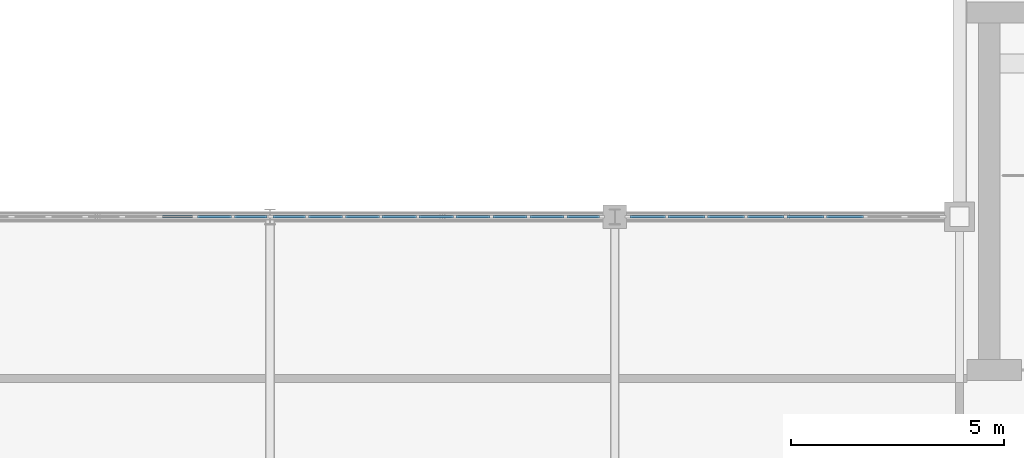
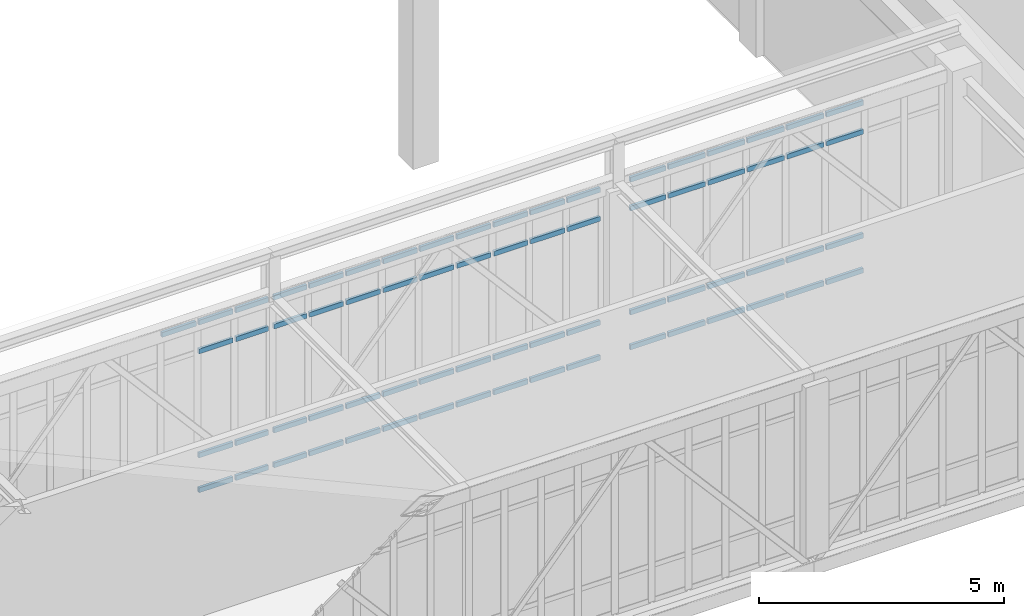
# One storey, part 30 of 67: 69 members, 3 elements without a shape of their own.
"""IFC4 building model written with IfcOpenShell, lengths in metres."""

from ifc_helpers import new_model, si_unit, direction, frame, origin, origin_2d, place, context, subcontext, project, spatial, rectangle, extrude, material, material_profile, profile_set, type_object, element, aggregate, save


model = new_model("IFC4")

# Units and contexts
model_context = context("Model", 3, precision=1e-05, world=origin(), true_north=direction((0.0, 1.0)))
body_context = subcontext(model_context, "Body", "Model", "MODEL_VIEW")
ifc_project = project(units=[si_unit("LENGTHUNIT", "METRE"), si_unit("AREAUNIT", "SQUARE_METRE"), si_unit("VOLUMEUNIT", "CUBIC_METRE"), si_unit("PLANEANGLEUNIT", "RADIAN"), si_unit("MASSUNIT", "GRAM", prefix="KILO")], contexts=[model_context])

# Site, building, storey
site_placement = place(None, origin())
site = spatial("IfcSite", under=ifc_project, at=site_placement, CompositionType="ELEMENT")
building_placement = place(site_placement, origin())
building = spatial("IfcBuilding", under=site, at=building_placement, Name="Tarnveldt Square Police Headquarters", CompositionType="ELEMENT")
storey_placement = place(building_placement, frame((0.0, 0.0, 10.199951171875)))
storey = spatial("IfcBuildingStorey", under=building, at=storey_placement, Name="L02", CompositionType="ELEMENT", Elevation=10.199951171875)

# Curtain wall, members
ifc_material_1 = material(Name="Triple-glazed low-e laminated vision glass", Category="glass")
curtain_wall_type_1 = type_object("IfcCurtainWallType", Name="CW-SB-781x424", PredefinedType="USERDEFINED", material=ifc_material_1)
curtain_wall_1_placement = place(storey_placement, origin())
curtain_wall_1 = element("IfcCurtainWall", 1, at=curtain_wall_1_placement, inside=storey, type_object=curtain_wall_type_1, Name="L02 Curtain Wall CW-L02-149", ObjectType="GLAZED CURTAIN WALL", PredefinedType="USERDEFINED")
ifc_material_2 = material(Name="Thermally broken anodised aluminium 6063-T6", Category="aluminium")
ifc_material_profile = material_profile(ifc_material_2, rectangle(XDim=0.06494140625, YDim=0.1201171875, at=origin_2d()), Name="CW-T65x120")
ifc_profile_set = profile_set([ifc_material_profile], Name="Thermally broken anodised aluminium 6063-T6")
member_type = type_object("IfcMemberType", Name="CWT-65x120", PredefinedType="USERDEFINED", material=ifc_profile_set)
member_1_placement = place(storey_placement, frame((86.529052734375, 64.0, 4.20751953125), z_axis=(1.0, 0.0, 0.0), x_axis=(0.0, 1.0, 0.0)))
member_1 = element("IfcMember", 2, at=member_1_placement, type_object=member_type, Name="CW-SB87 transom 7.4", ObjectType="TRANSOM", PredefinedType="USERDEFINED", context=body_context, shape_type="SweptSolid", body=[
    extrude(rectangle(XDim=0.06494140625, YDim=0.1201171875, at=origin_2d()), origin(), (0.0, 0.0, 1.0), 0.802978515625),
])
member_2_placement = place(storey_placement, frame((87.39697265625, 64.0, 0.032470703125), z_axis=(1.0, 0.0, 0.0), x_axis=(0.0, 1.0, 0.0)))
member_2 = element("IfcMember", 3, at=member_2_placement, type_object=member_type, Name="CW-SB87 transom 8.1", ObjectType="TRANSOM", PredefinedType="USERDEFINED", context=body_context, shape_type="SweptSolid", body=[
    extrude(rectangle(XDim=0.06494140625, YDim=0.1201171875, at=origin_2d()), origin(), (0.0, 0.0, 1.0), 0.802734375),
])
member_3_placement = place(storey_placement, frame((87.39697265625, 64.0, 0.900146484375), z_axis=(1.0, 0.0, 0.0), x_axis=(0.0, 1.0, 0.0)))
member_3 = element("IfcMember", 4, at=member_3_placement, type_object=member_type, Name="CW-SB87 transom 8.2", ObjectType="TRANSOM", PredefinedType="USERDEFINED", context=body_context, shape_type="SweptSolid", body=[
    extrude(rectangle(XDim=0.06494140625, YDim=0.1201171875, at=origin_2d()), origin(), (0.0, 0.0, 1.0), 0.802734375),
])
member_4_placement = place(storey_placement, frame((87.39697265625, 64.0, 3.489990234375), z_axis=(1.0, 0.0, 0.0), x_axis=(0.0, 1.0, 0.0)))
member_4 = element("IfcMember", 5, at=member_4_placement, type_object=member_type, Name="CW-SB87 transom 8.3", ObjectType="TRANSOM", PredefinedType="USERDEFINED", context=body_context, shape_type="SweptSolid", body=[
    extrude(rectangle(XDim=0.06494140625, YDim=0.1201171875, at=origin_2d()), origin(), (0.0, 0.0, 1.0), 0.802734375),
])
member_5_placement = place(storey_placement, frame((87.39697265625, 64.0, 4.20751953125), z_axis=(1.0, 0.0, 0.0), x_axis=(0.0, 1.0, 0.0)))
member_5 = element("IfcMember", 6, at=member_5_placement, type_object=member_type, Name="CW-SB87 transom 8.4", ObjectType="TRANSOM", PredefinedType="USERDEFINED", context=body_context, shape_type="SweptSolid", body=[
    extrude(rectangle(XDim=0.06494140625, YDim=0.1201171875, at=origin_2d()), origin(), (0.0, 0.0, 1.0), 0.802734375),
])
member_6_placement = place(storey_placement, frame((88.2646484375, 64.0, 0.032470703125), z_axis=(1.0, 0.0, 0.0), x_axis=(0.0, 1.0, 0.0)))
member_6 = element("IfcMember", 7, at=member_6_placement, type_object=member_type, Name="CW-SB87 transom 9.1", ObjectType="TRANSOM", PredefinedType="USERDEFINED", context=body_context, shape_type="SweptSolid", body=[
    extrude(rectangle(XDim=0.06494140625, YDim=0.1201171875, at=origin_2d()), origin(), (0.0, 0.0, 1.0), 0.770263671875),
])
member_7_placement = place(storey_placement, frame((88.2646484375, 64.0, 0.900146484375), z_axis=(1.0, 0.0, 0.0), x_axis=(0.0, 1.0, 0.0)))
member_7 = element("IfcMember", 8, at=member_7_placement, type_object=member_type, Name="CW-SB87 transom 9.2", ObjectType="TRANSOM", PredefinedType="USERDEFINED", context=body_context, shape_type="SweptSolid", body=[
    extrude(rectangle(XDim=0.06494140625, YDim=0.1201171875, at=origin_2d()), origin(), (0.0, 0.0, 1.0), 0.770263671875),
])
member_8_placement = place(storey_placement, frame((88.2646484375, 64.0, 3.489990234375), z_axis=(1.0, 0.0, 0.0), x_axis=(0.0, 1.0, 0.0)))
member_8 = element("IfcMember", 9, at=member_8_placement, type_object=member_type, Name="CW-SB87 transom 9.3", ObjectType="TRANSOM", PredefinedType="USERDEFINED", context=body_context, shape_type="SweptSolid", body=[
    extrude(rectangle(XDim=0.06494140625, YDim=0.1201171875, at=origin_2d()), origin(), (0.0, 0.0, 1.0), 0.770263671875),
])
member_9_placement = place(storey_placement, frame((88.2646484375, 64.0, 4.20751953125), z_axis=(1.0, 0.0, 0.0), x_axis=(0.0, 1.0, 0.0)))
member_9 = element("IfcMember", 10, at=member_9_placement, type_object=member_type, Name="CW-SB87 transom 9.4", ObjectType="TRANSOM", PredefinedType="USERDEFINED", context=body_context, shape_type="SweptSolid", body=[
    extrude(rectangle(XDim=0.06494140625, YDim=0.1201171875, at=origin_2d()), origin(), (0.0, 0.0, 1.0), 0.770263671875),
])
aggregate(curtain_wall_1, [member_1, member_2, member_3, member_4, member_5, member_6, member_7, member_8, member_9])

curtain_wall_2_placement = place(storey_placement, origin())
curtain_wall_2 = element("IfcCurtainWall", 11, at=curtain_wall_2_placement, inside=storey, type_object=curtain_wall_type_1, Name="L02 Curtain Wall CW-L02-150", ObjectType="GLAZED CURTAIN WALL", PredefinedType="USERDEFINED")
member_10_placement = place(storey_placement, frame((89.1650390625, 64.0, 0.032470703125), z_axis=(1.0, 0.0, 0.0), x_axis=(0.0, 1.0, 0.0)))
member_10 = element("IfcMember", 12, at=member_10_placement, type_object=member_type, Name="CW-SB87 transom 1.1", ObjectType="TRANSOM", PredefinedType="USERDEFINED", context=body_context, shape_type="SweptSolid", body=[
    extrude(rectangle(XDim=0.06494140625, YDim=0.1201171875, at=origin_2d()), origin(), (0.0, 0.0, 1.0), 0.770263671875),
])
member_11_placement = place(storey_placement, frame((89.1650390625, 64.0, 0.900146484375), z_axis=(1.0, 0.0, 0.0), x_axis=(0.0, 1.0, 0.0)))
member_11 = element("IfcMember", 13, at=member_11_placement, type_object=member_type, Name="CW-SB87 transom 1.2", ObjectType="TRANSOM", PredefinedType="USERDEFINED", context=body_context, shape_type="SweptSolid", body=[
    extrude(rectangle(XDim=0.06494140625, YDim=0.1201171875, at=origin_2d()), origin(), (0.0, 0.0, 1.0), 0.770263671875),
])
member_12_placement = place(storey_placement, frame((89.1650390625, 64.0, 3.489990234375), z_axis=(1.0, 0.0, 0.0), x_axis=(0.0, 1.0, 0.0)))
member_12 = element("IfcMember", 14, at=member_12_placement, type_object=member_type, Name="CW-SB87 transom 1.3", ObjectType="TRANSOM", PredefinedType="USERDEFINED", context=body_context, shape_type="SweptSolid", body=[
    extrude(rectangle(XDim=0.06494140625, YDim=0.1201171875, at=origin_2d()), origin(), (0.0, 0.0, 1.0), 0.770263671875),
])
member_13_placement = place(storey_placement, frame((89.1650390625, 64.0, 4.20751953125), z_axis=(1.0, 0.0, 0.0), x_axis=(0.0, 1.0, 0.0)))
member_13 = element("IfcMember", 15, at=member_13_placement, type_object=member_type, Name="CW-SB87 transom 1.4", ObjectType="TRANSOM", PredefinedType="USERDEFINED", context=body_context, shape_type="SweptSolid", body=[
    extrude(rectangle(XDim=0.06494140625, YDim=0.1201171875, at=origin_2d()), origin(), (0.0, 0.0, 1.0), 0.770263671875),
])
member_14_placement = place(storey_placement, frame((90.000244140625, 64.0, 0.032470703125), z_axis=(1.0, 0.0, 0.0), x_axis=(0.0, 1.0, 0.0)))
member_14 = element("IfcMember", 16, at=member_14_placement, type_object=member_type, Name="CW-SB87 transom 2.1", ObjectType="TRANSOM", PredefinedType="USERDEFINED", context=body_context, shape_type="SweptSolid", body=[
    extrude(rectangle(XDim=0.06494140625, YDim=0.1201171875, at=origin_2d()), origin(), (0.0, 0.0, 1.0), 0.802734375),
])
member_15_placement = place(storey_placement, frame((90.000244140625, 64.0, 0.900146484375), z_axis=(1.0, 0.0, 0.0), x_axis=(0.0, 1.0, 0.0)))
member_15 = element("IfcMember", 17, at=member_15_placement, type_object=member_type, Name="CW-SB87 transom 2.2", ObjectType="TRANSOM", PredefinedType="USERDEFINED", context=body_context, shape_type="SweptSolid", body=[
    extrude(rectangle(XDim=0.06494140625, YDim=0.1201171875, at=origin_2d()), origin(), (0.0, 0.0, 1.0), 0.802734375),
])
member_16_placement = place(storey_placement, frame((90.000244140625, 64.0, 3.489990234375), z_axis=(1.0, 0.0, 0.0), x_axis=(0.0, 1.0, 0.0)))
member_16 = element("IfcMember", 18, at=member_16_placement, type_object=member_type, Name="CW-SB87 transom 2.3", ObjectType="TRANSOM", PredefinedType="USERDEFINED", context=body_context, shape_type="SweptSolid", body=[
    extrude(rectangle(XDim=0.06494140625, YDim=0.1201171875, at=origin_2d()), origin(), (0.0, 0.0, 1.0), 0.802734375),
])
member_17_placement = place(storey_placement, frame((90.000244140625, 64.0, 4.20751953125), z_axis=(1.0, 0.0, 0.0), x_axis=(0.0, 1.0, 0.0)))
member_17 = element("IfcMember", 19, at=member_17_placement, type_object=member_type, Name="CW-SB87 transom 2.4", ObjectType="TRANSOM", PredefinedType="USERDEFINED", context=body_context, shape_type="SweptSolid", body=[
    extrude(rectangle(XDim=0.06494140625, YDim=0.1201171875, at=origin_2d()), origin(), (0.0, 0.0, 1.0), 0.802734375),
])
member_18_placement = place(storey_placement, frame((90.8681640625, 64.0, 0.032470703125), z_axis=(1.0, 0.0, 0.0), x_axis=(0.0, 1.0, 0.0)))
member_18 = element("IfcMember", 20, at=member_18_placement, type_object=member_type, Name="CW-SB87 transom 3.1", ObjectType="TRANSOM", PredefinedType="USERDEFINED", context=body_context, shape_type="SweptSolid", body=[
    extrude(rectangle(XDim=0.06494140625, YDim=0.1201171875, at=origin_2d()), origin(), (0.0, 0.0, 1.0), 0.802734375),
])
member_19_placement = place(storey_placement, frame((90.8681640625, 64.0, 0.900146484375), z_axis=(1.0, 0.0, 0.0), x_axis=(0.0, 1.0, 0.0)))
member_19 = element("IfcMember", 21, at=member_19_placement, type_object=member_type, Name="CW-SB87 transom 3.2", ObjectType="TRANSOM", PredefinedType="USERDEFINED", context=body_context, shape_type="SweptSolid", body=[
    extrude(rectangle(XDim=0.06494140625, YDim=0.1201171875, at=origin_2d()), origin(), (0.0, 0.0, 1.0), 0.802734375),
])
member_20_placement = place(storey_placement, frame((90.8681640625, 64.0, 3.489990234375), z_axis=(1.0, 0.0, 0.0), x_axis=(0.0, 1.0, 0.0)))
member_20 = element("IfcMember", 22, at=member_20_placement, type_object=member_type, Name="CW-SB87 transom 3.3", ObjectType="TRANSOM", PredefinedType="USERDEFINED", context=body_context, shape_type="SweptSolid", body=[
    extrude(rectangle(XDim=0.06494140625, YDim=0.1201171875, at=origin_2d()), origin(), (0.0, 0.0, 1.0), 0.802734375),
])
member_21_placement = place(storey_placement, frame((90.8681640625, 64.0, 4.20751953125), z_axis=(1.0, 0.0, 0.0), x_axis=(0.0, 1.0, 0.0)))
member_21 = element("IfcMember", 23, at=member_21_placement, type_object=member_type, Name="CW-SB87 transom 3.4", ObjectType="TRANSOM", PredefinedType="USERDEFINED", context=body_context, shape_type="SweptSolid", body=[
    extrude(rectangle(XDim=0.06494140625, YDim=0.1201171875, at=origin_2d()), origin(), (0.0, 0.0, 1.0), 0.802734375),
])
member_22_placement = place(storey_placement, frame((91.73583984375, 64.0, 0.032470703125), z_axis=(1.0, 0.0, 0.0), x_axis=(0.0, 1.0, 0.0)))
member_22 = element("IfcMember", 24, at=member_22_placement, type_object=member_type, Name="CW-SB87 transom 4.1", ObjectType="TRANSOM", PredefinedType="USERDEFINED", context=body_context, shape_type="SweptSolid", body=[
    extrude(rectangle(XDim=0.06494140625, YDim=0.1201171875, at=origin_2d()), origin(), (0.0, 0.0, 1.0), 0.802734375),
])
member_23_placement = place(storey_placement, frame((91.73583984375, 64.0, 0.900146484375), z_axis=(1.0, 0.0, 0.0), x_axis=(0.0, 1.0, 0.0)))
member_23 = element("IfcMember", 25, at=member_23_placement, type_object=member_type, Name="CW-SB87 transom 4.2", ObjectType="TRANSOM", PredefinedType="USERDEFINED", context=body_context, shape_type="SweptSolid", body=[
    extrude(rectangle(XDim=0.06494140625, YDim=0.1201171875, at=origin_2d()), origin(), (0.0, 0.0, 1.0), 0.802734375),
])
member_24_placement = place(storey_placement, frame((91.73583984375, 64.0, 3.489990234375), z_axis=(1.0, 0.0, 0.0), x_axis=(0.0, 1.0, 0.0)))
member_24 = element("IfcMember", 26, at=member_24_placement, type_object=member_type, Name="CW-SB87 transom 4.3", ObjectType="TRANSOM", PredefinedType="USERDEFINED", context=body_context, shape_type="SweptSolid", body=[
    extrude(rectangle(XDim=0.06494140625, YDim=0.1201171875, at=origin_2d()), origin(), (0.0, 0.0, 1.0), 0.802734375),
])
member_25_placement = place(storey_placement, frame((91.73583984375, 64.0, 4.20751953125), z_axis=(1.0, 0.0, 0.0), x_axis=(0.0, 1.0, 0.0)))
member_25 = element("IfcMember", 27, at=member_25_placement, type_object=member_type, Name="CW-SB87 transom 4.4", ObjectType="TRANSOM", PredefinedType="USERDEFINED", context=body_context, shape_type="SweptSolid", body=[
    extrude(rectangle(XDim=0.06494140625, YDim=0.1201171875, at=origin_2d()), origin(), (0.0, 0.0, 1.0), 0.802734375),
])
member_26_placement = place(storey_placement, frame((92.603515625, 64.0, 0.032470703125), z_axis=(1.0, 0.0, 0.0), x_axis=(0.0, 1.0, 0.0)))
member_26 = element("IfcMember", 28, at=member_26_placement, type_object=member_type, Name="CW-SB87 transom 5.1", ObjectType="TRANSOM", PredefinedType="USERDEFINED", context=body_context, shape_type="SweptSolid", body=[
    extrude(rectangle(XDim=0.06494140625, YDim=0.1201171875, at=origin_2d()), origin(), (0.0, 0.0, 1.0), 0.802978515625),
])
member_27_placement = place(storey_placement, frame((92.603515625, 64.0, 0.900146484375), z_axis=(1.0, 0.0, 0.0), x_axis=(0.0, 1.0, 0.0)))
member_27 = element("IfcMember", 29, at=member_27_placement, type_object=member_type, Name="CW-SB87 transom 5.2", ObjectType="TRANSOM", PredefinedType="USERDEFINED", context=body_context, shape_type="SweptSolid", body=[
    extrude(rectangle(XDim=0.06494140625, YDim=0.1201171875, at=origin_2d()), origin(), (0.0, 0.0, 1.0), 0.802978515625),
])
member_28_placement = place(storey_placement, frame((92.603515625, 64.0, 3.489990234375), z_axis=(1.0, 0.0, 0.0), x_axis=(0.0, 1.0, 0.0)))
member_28 = element("IfcMember", 30, at=member_28_placement, type_object=member_type, Name="CW-SB87 transom 5.3", ObjectType="TRANSOM", PredefinedType="USERDEFINED", context=body_context, shape_type="SweptSolid", body=[
    extrude(rectangle(XDim=0.06494140625, YDim=0.1201171875, at=origin_2d()), origin(), (0.0, 0.0, 1.0), 0.802978515625),
])
member_29_placement = place(storey_placement, frame((92.603515625, 64.0, 4.20751953125), z_axis=(1.0, 0.0, 0.0), x_axis=(0.0, 1.0, 0.0)))
member_29 = element("IfcMember", 31, at=member_29_placement, type_object=member_type, Name="CW-SB87 transom 5.4", ObjectType="TRANSOM", PredefinedType="USERDEFINED", context=body_context, shape_type="SweptSolid", body=[
    extrude(rectangle(XDim=0.06494140625, YDim=0.1201171875, at=origin_2d()), origin(), (0.0, 0.0, 1.0), 0.802978515625),
])
member_30_placement = place(storey_placement, frame((93.471435546875, 64.0, 0.032470703125), z_axis=(1.0, 0.0, 0.0), x_axis=(0.0, 1.0, 0.0)))
member_30 = element("IfcMember", 32, at=member_30_placement, type_object=member_type, Name="CW-SB87 transom 6.1", ObjectType="TRANSOM", PredefinedType="USERDEFINED", context=body_context, shape_type="SweptSolid", body=[
    extrude(rectangle(XDim=0.06494140625, YDim=0.1201171875, at=origin_2d()), origin(), (0.0, 0.0, 1.0), 0.802734375),
])
member_31_placement = place(storey_placement, frame((93.471435546875, 64.0, 0.900146484375), z_axis=(1.0, 0.0, 0.0), x_axis=(0.0, 1.0, 0.0)))
member_31 = element("IfcMember", 33, at=member_31_placement, type_object=member_type, Name="CW-SB87 transom 6.2", ObjectType="TRANSOM", PredefinedType="USERDEFINED", context=body_context, shape_type="SweptSolid", body=[
    extrude(rectangle(XDim=0.06494140625, YDim=0.1201171875, at=origin_2d()), origin(), (0.0, 0.0, 1.0), 0.802734375),
])
member_32_placement = place(storey_placement, frame((93.471435546875, 64.0, 3.489990234375), z_axis=(1.0, 0.0, 0.0), x_axis=(0.0, 1.0, 0.0)))
member_32 = element("IfcMember", 34, at=member_32_placement, type_object=member_type, Name="CW-SB87 transom 6.3", ObjectType="TRANSOM", PredefinedType="USERDEFINED", context=body_context, shape_type="SweptSolid", body=[
    extrude(rectangle(XDim=0.06494140625, YDim=0.1201171875, at=origin_2d()), origin(), (0.0, 0.0, 1.0), 0.802734375),
])
member_33_placement = place(storey_placement, frame((93.471435546875, 64.0, 4.20751953125), z_axis=(1.0, 0.0, 0.0), x_axis=(0.0, 1.0, 0.0)))
member_33 = element("IfcMember", 35, at=member_33_placement, type_object=member_type, Name="CW-SB87 transom 6.4", ObjectType="TRANSOM", PredefinedType="USERDEFINED", context=body_context, shape_type="SweptSolid", body=[
    extrude(rectangle(XDim=0.06494140625, YDim=0.1201171875, at=origin_2d()), origin(), (0.0, 0.0, 1.0), 0.802734375),
])
member_34_placement = place(storey_placement, frame((94.339111328125, 64.0, 0.032470703125), z_axis=(1.0, 0.0, 0.0), x_axis=(0.0, 1.0, 0.0)))
member_34 = element("IfcMember", 36, at=member_34_placement, type_object=member_type, Name="CW-SB87 transom 7.1", ObjectType="TRANSOM", PredefinedType="USERDEFINED", context=body_context, shape_type="SweptSolid", body=[
    extrude(rectangle(XDim=0.06494140625, YDim=0.1201171875, at=origin_2d()), origin(), (0.0, 0.0, 1.0), 0.802734375),
])
member_35_placement = place(storey_placement, frame((94.339111328125, 64.0, 0.900146484375), z_axis=(1.0, 0.0, 0.0), x_axis=(0.0, 1.0, 0.0)))
member_35 = element("IfcMember", 37, at=member_35_placement, type_object=member_type, Name="CW-SB87 transom 7.2", ObjectType="TRANSOM", PredefinedType="USERDEFINED", context=body_context, shape_type="SweptSolid", body=[
    extrude(rectangle(XDim=0.06494140625, YDim=0.1201171875, at=origin_2d()), origin(), (0.0, 0.0, 1.0), 0.802734375),
])
member_36_placement = place(storey_placement, frame((94.339111328125, 64.0, 3.489990234375), z_axis=(1.0, 0.0, 0.0), x_axis=(0.0, 1.0, 0.0)))
member_36 = element("IfcMember", 38, at=member_36_placement, type_object=member_type, Name="CW-SB87 transom 7.3", ObjectType="TRANSOM", PredefinedType="USERDEFINED", context=body_context, shape_type="SweptSolid", body=[
    extrude(rectangle(XDim=0.06494140625, YDim=0.1201171875, at=origin_2d()), origin(), (0.0, 0.0, 1.0), 0.802734375),
])
member_37_placement = place(storey_placement, frame((94.339111328125, 64.0, 4.20751953125), z_axis=(1.0, 0.0, 0.0), x_axis=(0.0, 1.0, 0.0)))
member_37 = element("IfcMember", 39, at=member_37_placement, type_object=member_type, Name="CW-SB87 transom 7.4", ObjectType="TRANSOM", PredefinedType="USERDEFINED", context=body_context, shape_type="SweptSolid", body=[
    extrude(rectangle(XDim=0.06494140625, YDim=0.1201171875, at=origin_2d()), origin(), (0.0, 0.0, 1.0), 0.802734375),
])
member_38_placement = place(storey_placement, frame((95.20703125, 64.0, 0.032470703125), z_axis=(1.0, 0.0, 0.0), x_axis=(0.0, 1.0, 0.0)))
member_38 = element("IfcMember", 40, at=member_38_placement, type_object=member_type, Name="CW-SB87 transom 8.1", ObjectType="TRANSOM", PredefinedType="USERDEFINED", context=body_context, shape_type="SweptSolid", body=[
    extrude(rectangle(XDim=0.06494140625, YDim=0.1201171875, at=origin_2d()), origin(), (0.0, 0.0, 1.0), 0.802734375),
])
member_39_placement = place(storey_placement, frame((95.20703125, 64.0, 0.900146484375), z_axis=(1.0, 0.0, 0.0), x_axis=(0.0, 1.0, 0.0)))
member_39 = element("IfcMember", 41, at=member_39_placement, type_object=member_type, Name="CW-SB87 transom 8.2", ObjectType="TRANSOM", PredefinedType="USERDEFINED", context=body_context, shape_type="SweptSolid", body=[
    extrude(rectangle(XDim=0.06494140625, YDim=0.1201171875, at=origin_2d()), origin(), (0.0, 0.0, 1.0), 0.802734375),
])
member_40_placement = place(storey_placement, frame((95.20703125, 64.0, 3.489990234375), z_axis=(1.0, 0.0, 0.0), x_axis=(0.0, 1.0, 0.0)))
member_40 = element("IfcMember", 42, at=member_40_placement, type_object=member_type, Name="CW-SB87 transom 8.3", ObjectType="TRANSOM", PredefinedType="USERDEFINED", context=body_context, shape_type="SweptSolid", body=[
    extrude(rectangle(XDim=0.06494140625, YDim=0.1201171875, at=origin_2d()), origin(), (0.0, 0.0, 1.0), 0.802734375),
])
member_41_placement = place(storey_placement, frame((95.20703125, 64.0, 4.20751953125), z_axis=(1.0, 0.0, 0.0), x_axis=(0.0, 1.0, 0.0)))
member_41 = element("IfcMember", 43, at=member_41_placement, type_object=member_type, Name="CW-SB87 transom 8.4", ObjectType="TRANSOM", PredefinedType="USERDEFINED", context=body_context, shape_type="SweptSolid", body=[
    extrude(rectangle(XDim=0.06494140625, YDim=0.1201171875, at=origin_2d()), origin(), (0.0, 0.0, 1.0), 0.802734375),
])
member_42_placement = place(storey_placement, frame((96.07470703125, 64.0, 0.032470703125), z_axis=(1.0, 0.0, 0.0), x_axis=(0.0, 1.0, 0.0)))
member_42 = element("IfcMember", 44, at=member_42_placement, type_object=member_type, Name="CW-SB87 transom 9.1", ObjectType="TRANSOM", PredefinedType="USERDEFINED", context=body_context, shape_type="SweptSolid", body=[
    extrude(rectangle(XDim=0.06494140625, YDim=0.1201171875, at=origin_2d()), origin(), (0.0, 0.0, 1.0), 0.770263671875),
])
member_43_placement = place(storey_placement, frame((96.07470703125, 64.0, 0.900146484375), z_axis=(1.0, 0.0, 0.0), x_axis=(0.0, 1.0, 0.0)))
member_43 = element("IfcMember", 45, at=member_43_placement, type_object=member_type, Name="CW-SB87 transom 9.2", ObjectType="TRANSOM", PredefinedType="USERDEFINED", context=body_context, shape_type="SweptSolid", body=[
    extrude(rectangle(XDim=0.06494140625, YDim=0.1201171875, at=origin_2d()), origin(), (0.0, 0.0, 1.0), 0.770263671875),
])
member_44_placement = place(storey_placement, frame((96.07470703125, 64.0, 3.489990234375), z_axis=(1.0, 0.0, 0.0), x_axis=(0.0, 1.0, 0.0)))
member_44 = element("IfcMember", 46, at=member_44_placement, type_object=member_type, Name="CW-SB87 transom 9.3", ObjectType="TRANSOM", PredefinedType="USERDEFINED", context=body_context, shape_type="SweptSolid", body=[
    extrude(rectangle(XDim=0.06494140625, YDim=0.1201171875, at=origin_2d()), origin(), (0.0, 0.0, 1.0), 0.770263671875),
])
member_45_placement = place(storey_placement, frame((96.07470703125, 64.0, 4.20751953125), z_axis=(1.0, 0.0, 0.0), x_axis=(0.0, 1.0, 0.0)))
member_45 = element("IfcMember", 47, at=member_45_placement, type_object=member_type, Name="CW-SB87 transom 9.4", ObjectType="TRANSOM", PredefinedType="USERDEFINED", context=body_context, shape_type="SweptSolid", body=[
    extrude(rectangle(XDim=0.06494140625, YDim=0.1201171875, at=origin_2d()), origin(), (0.0, 0.0, 1.0), 0.770263671875),
])
aggregate(curtain_wall_2, [member_10, member_11, member_12, member_13, member_14, member_15, member_16, member_17, member_18, member_19, member_20, member_21, member_22, member_23, member_24, member_25, member_26, member_27, member_28, member_29, member_30, member_31, member_32, member_33, member_34, member_35, member_36, member_37, member_38, member_39, member_40, member_41, member_42, member_43, member_44, member_45])

curtain_wall_type_2 = type_object("IfcCurtainWallType", Name="CW-SB-745x424", PredefinedType="USERDEFINED", material=ifc_material_1)
curtain_wall_3_placement = place(storey_placement, origin())
curtain_wall_3 = element("IfcCurtainWall", 48, at=curtain_wall_3_placement, inside=storey, type_object=curtain_wall_type_2, Name="L02 Curtain Wall CW-L02-151", ObjectType="GLAZED CURTAIN WALL", PredefinedType="USERDEFINED")
member_46_placement = place(storey_placement, frame((97.554931640625, 64.0, 0.032470703125), z_axis=(1.0, 0.0, 0.0), x_axis=(0.0, 1.0, 0.0)))
member_46 = element("IfcMember", 49, at=member_46_placement, type_object=member_type, Name="CW-SB88 transom 1.1", ObjectType="TRANSOM", PredefinedType="USERDEFINED", context=body_context, shape_type="SweptSolid", body=[
    extrude(rectangle(XDim=0.06494140625, YDim=0.1201171875, at=origin_2d()), origin(), (0.0, 0.0, 1.0), 0.833251953125),
])
member_47_placement = place(storey_placement, frame((97.554931640625, 64.0, 0.900146484375), z_axis=(1.0, 0.0, 0.0), x_axis=(0.0, 1.0, 0.0)))
member_47 = element("IfcMember", 50, at=member_47_placement, type_object=member_type, Name="CW-SB88 transom 1.2", ObjectType="TRANSOM", PredefinedType="USERDEFINED", context=body_context, shape_type="SweptSolid", body=[
    extrude(rectangle(XDim=0.06494140625, YDim=0.1201171875, at=origin_2d()), origin(), (0.0, 0.0, 1.0), 0.833251953125),
])
member_48_placement = place(storey_placement, frame((97.554931640625, 64.0, 3.489990234375), z_axis=(1.0, 0.0, 0.0), x_axis=(0.0, 1.0, 0.0)))
member_48 = element("IfcMember", 51, at=member_48_placement, type_object=member_type, Name="CW-SB88 transom 1.3", ObjectType="TRANSOM", PredefinedType="USERDEFINED", context=body_context, shape_type="SweptSolid", body=[
    extrude(rectangle(XDim=0.06494140625, YDim=0.1201171875, at=origin_2d()), origin(), (0.0, 0.0, 1.0), 0.833251953125),
])
member_49_placement = place(storey_placement, frame((97.554931640625, 64.0, 4.20751953125), z_axis=(1.0, 0.0, 0.0), x_axis=(0.0, 1.0, 0.0)))
member_49 = element("IfcMember", 52, at=member_49_placement, type_object=member_type, Name="CW-SB88 transom 1.4", ObjectType="TRANSOM", PredefinedType="USERDEFINED", context=body_context, shape_type="SweptSolid", body=[
    extrude(rectangle(XDim=0.06494140625, YDim=0.1201171875, at=origin_2d()), origin(), (0.0, 0.0, 1.0), 0.833251953125),
])
member_50_placement = place(storey_placement, frame((98.453125, 64.0, 0.032470703125), z_axis=(1.0, 0.0, 0.0), x_axis=(0.0, 1.0, 0.0)))
member_50 = element("IfcMember", 53, at=member_50_placement, type_object=member_type, Name="CW-SB88 transom 2.1", ObjectType="TRANSOM", PredefinedType="USERDEFINED", context=body_context, shape_type="SweptSolid", body=[
    extrude(rectangle(XDim=0.06494140625, YDim=0.1201171875, at=origin_2d()), origin(), (0.0, 0.0, 1.0), 0.86572265625),
])
member_51_placement = place(storey_placement, frame((98.453125, 64.0, 0.900146484375), z_axis=(1.0, 0.0, 0.0), x_axis=(0.0, 1.0, 0.0)))
member_51 = element("IfcMember", 54, at=member_51_placement, type_object=member_type, Name="CW-SB88 transom 2.2", ObjectType="TRANSOM", PredefinedType="USERDEFINED", context=body_context, shape_type="SweptSolid", body=[
    extrude(rectangle(XDim=0.06494140625, YDim=0.1201171875, at=origin_2d()), origin(), (0.0, 0.0, 1.0), 0.86572265625),
])
member_52_placement = place(storey_placement, frame((98.453125, 64.0, 3.489990234375), z_axis=(1.0, 0.0, 0.0), x_axis=(0.0, 1.0, 0.0)))
member_52 = element("IfcMember", 55, at=member_52_placement, type_object=member_type, Name="CW-SB88 transom 2.3", ObjectType="TRANSOM", PredefinedType="USERDEFINED", context=body_context, shape_type="SweptSolid", body=[
    extrude(rectangle(XDim=0.06494140625, YDim=0.1201171875, at=origin_2d()), origin(), (0.0, 0.0, 1.0), 0.86572265625),
])
member_53_placement = place(storey_placement, frame((98.453125, 64.0, 4.20751953125), z_axis=(1.0, 0.0, 0.0), x_axis=(0.0, 1.0, 0.0)))
member_53 = element("IfcMember", 56, at=member_53_placement, type_object=member_type, Name="CW-SB88 transom 2.4", ObjectType="TRANSOM", PredefinedType="USERDEFINED", context=body_context, shape_type="SweptSolid", body=[
    extrude(rectangle(XDim=0.06494140625, YDim=0.1201171875, at=origin_2d()), origin(), (0.0, 0.0, 1.0), 0.86572265625),
])
member_54_placement = place(storey_placement, frame((99.3837890625, 64.0, 0.032470703125), z_axis=(1.0, 0.0, 0.0), x_axis=(0.0, 1.0, 0.0)))
member_54 = element("IfcMember", 57, at=member_54_placement, type_object=member_type, Name="CW-SB88 transom 3.1", ObjectType="TRANSOM", PredefinedType="USERDEFINED", context=body_context, shape_type="SweptSolid", body=[
    extrude(rectangle(XDim=0.06494140625, YDim=0.1201171875, at=origin_2d()), origin(), (0.0, 0.0, 1.0), 0.865478515625),
])
member_55_placement = place(storey_placement, frame((99.3837890625, 64.0, 0.900146484375), z_axis=(1.0, 0.0, 0.0), x_axis=(0.0, 1.0, 0.0)))
member_55 = element("IfcMember", 58, at=member_55_placement, type_object=member_type, Name="CW-SB88 transom 3.2", ObjectType="TRANSOM", PredefinedType="USERDEFINED", context=body_context, shape_type="SweptSolid", body=[
    extrude(rectangle(XDim=0.06494140625, YDim=0.1201171875, at=origin_2d()), origin(), (0.0, 0.0, 1.0), 0.865478515625),
])
member_56_placement = place(storey_placement, frame((99.3837890625, 64.0, 3.489990234375), z_axis=(1.0, 0.0, 0.0), x_axis=(0.0, 1.0, 0.0)))
member_56 = element("IfcMember", 59, at=member_56_placement, type_object=member_type, Name="CW-SB88 transom 3.3", ObjectType="TRANSOM", PredefinedType="USERDEFINED", context=body_context, shape_type="SweptSolid", body=[
    extrude(rectangle(XDim=0.06494140625, YDim=0.1201171875, at=origin_2d()), origin(), (0.0, 0.0, 1.0), 0.865478515625),
])
member_57_placement = place(storey_placement, frame((99.3837890625, 64.0, 4.20751953125), z_axis=(1.0, 0.0, 0.0), x_axis=(0.0, 1.0, 0.0)))
member_57 = element("IfcMember", 60, at=member_57_placement, type_object=member_type, Name="CW-SB88 transom 3.4", ObjectType="TRANSOM", PredefinedType="USERDEFINED", context=body_context, shape_type="SweptSolid", body=[
    extrude(rectangle(XDim=0.06494140625, YDim=0.1201171875, at=origin_2d()), origin(), (0.0, 0.0, 1.0), 0.865478515625),
])
member_58_placement = place(storey_placement, frame((100.314453125, 64.0, 0.032470703125), z_axis=(1.0, 0.0, 0.0), x_axis=(0.0, 1.0, 0.0)))
member_58 = element("IfcMember", 61, at=member_58_placement, type_object=member_type, Name="CW-SB88 transom 4.1", ObjectType="TRANSOM", PredefinedType="USERDEFINED", context=body_context, shape_type="SweptSolid", body=[
    extrude(rectangle(XDim=0.06494140625, YDim=0.1201171875, at=origin_2d()), origin(), (0.0, 0.0, 1.0), 0.865478515625),
])
member_59_placement = place(storey_placement, frame((100.314453125, 64.0, 0.900146484375), z_axis=(1.0, 0.0, 0.0), x_axis=(0.0, 1.0, 0.0)))
member_59 = element("IfcMember", 62, at=member_59_placement, type_object=member_type, Name="CW-SB88 transom 4.2", ObjectType="TRANSOM", PredefinedType="USERDEFINED", context=body_context, shape_type="SweptSolid", body=[
    extrude(rectangle(XDim=0.06494140625, YDim=0.1201171875, at=origin_2d()), origin(), (0.0, 0.0, 1.0), 0.865478515625),
])
member_60_placement = place(storey_placement, frame((100.314453125, 64.0, 3.489990234375), z_axis=(1.0, 0.0, 0.0), x_axis=(0.0, 1.0, 0.0)))
member_60 = element("IfcMember", 63, at=member_60_placement, type_object=member_type, Name="CW-SB88 transom 4.3", ObjectType="TRANSOM", PredefinedType="USERDEFINED", context=body_context, shape_type="SweptSolid", body=[
    extrude(rectangle(XDim=0.06494140625, YDim=0.1201171875, at=origin_2d()), origin(), (0.0, 0.0, 1.0), 0.865478515625),
])
member_61_placement = place(storey_placement, frame((100.314453125, 64.0, 4.20751953125), z_axis=(1.0, 0.0, 0.0), x_axis=(0.0, 1.0, 0.0)))
member_61 = element("IfcMember", 64, at=member_61_placement, type_object=member_type, Name="CW-SB88 transom 4.4", ObjectType="TRANSOM", PredefinedType="USERDEFINED", context=body_context, shape_type="SweptSolid", body=[
    extrude(rectangle(XDim=0.06494140625, YDim=0.1201171875, at=origin_2d()), origin(), (0.0, 0.0, 1.0), 0.865478515625),
])
member_62_placement = place(storey_placement, frame((101.2451171875, 64.0, 0.032470703125), z_axis=(1.0, 0.0, 0.0), x_axis=(0.0, 1.0, 0.0)))
member_62 = element("IfcMember", 65, at=member_62_placement, type_object=member_type, Name="CW-SB88 transom 5.1", ObjectType="TRANSOM", PredefinedType="USERDEFINED", context=body_context, shape_type="SweptSolid", body=[
    extrude(rectangle(XDim=0.06494140625, YDim=0.1201171875, at=origin_2d()), origin(), (0.0, 0.0, 1.0), 0.865478515625),
])
member_63_placement = place(storey_placement, frame((101.2451171875, 64.0, 0.900146484375), z_axis=(1.0, 0.0, 0.0), x_axis=(0.0, 1.0, 0.0)))
member_63 = element("IfcMember", 66, at=member_63_placement, type_object=member_type, Name="CW-SB88 transom 5.2", ObjectType="TRANSOM", PredefinedType="USERDEFINED", context=body_context, shape_type="SweptSolid", body=[
    extrude(rectangle(XDim=0.06494140625, YDim=0.1201171875, at=origin_2d()), origin(), (0.0, 0.0, 1.0), 0.865478515625),
])
member_64_placement = place(storey_placement, frame((101.2451171875, 64.0, 3.489990234375), z_axis=(1.0, 0.0, 0.0), x_axis=(0.0, 1.0, 0.0)))
member_64 = element("IfcMember", 67, at=member_64_placement, type_object=member_type, Name="CW-SB88 transom 5.3", ObjectType="TRANSOM", PredefinedType="USERDEFINED", context=body_context, shape_type="SweptSolid", body=[
    extrude(rectangle(XDim=0.06494140625, YDim=0.1201171875, at=origin_2d()), origin(), (0.0, 0.0, 1.0), 0.865478515625),
])
member_65_placement = place(storey_placement, frame((101.2451171875, 64.0, 4.20751953125), z_axis=(1.0, 0.0, 0.0), x_axis=(0.0, 1.0, 0.0)))
member_65 = element("IfcMember", 68, at=member_65_placement, type_object=member_type, Name="CW-SB88 transom 5.4", ObjectType="TRANSOM", PredefinedType="USERDEFINED", context=body_context, shape_type="SweptSolid", body=[
    extrude(rectangle(XDim=0.06494140625, YDim=0.1201171875, at=origin_2d()), origin(), (0.0, 0.0, 1.0), 0.865478515625),
])
member_66_placement = place(storey_placement, frame((102.175537109375, 64.0, 0.032470703125), z_axis=(1.0, 0.0, 0.0), x_axis=(0.0, 1.0, 0.0)))
member_66 = element("IfcMember", 69, at=member_66_placement, type_object=member_type, Name="CW-SB88 transom 6.1", ObjectType="TRANSOM", PredefinedType="USERDEFINED", context=body_context, shape_type="SweptSolid", body=[
    extrude(rectangle(XDim=0.06494140625, YDim=0.1201171875, at=origin_2d()), origin(), (0.0, 0.0, 1.0), 0.86572265625),
])
member_67_placement = place(storey_placement, frame((102.175537109375, 64.0, 0.900146484375), z_axis=(1.0, 0.0, 0.0), x_axis=(0.0, 1.0, 0.0)))
member_67 = element("IfcMember", 70, at=member_67_placement, type_object=member_type, Name="CW-SB88 transom 6.2", ObjectType="TRANSOM", PredefinedType="USERDEFINED", context=body_context, shape_type="SweptSolid", body=[
    extrude(rectangle(XDim=0.06494140625, YDim=0.1201171875, at=origin_2d()), origin(), (0.0, 0.0, 1.0), 0.86572265625),
])
member_68_placement = place(storey_placement, frame((102.175537109375, 64.0, 3.489990234375), z_axis=(1.0, 0.0, 0.0), x_axis=(0.0, 1.0, 0.0)))
member_68 = element("IfcMember", 71, at=member_68_placement, type_object=member_type, Name="CW-SB88 transom 6.3", ObjectType="TRANSOM", PredefinedType="USERDEFINED", context=body_context, shape_type="SweptSolid", body=[
    extrude(rectangle(XDim=0.06494140625, YDim=0.1201171875, at=origin_2d()), origin(), (0.0, 0.0, 1.0), 0.86572265625),
])
member_69_placement = place(storey_placement, frame((102.175537109375, 64.0, 4.20751953125), z_axis=(1.0, 0.0, 0.0), x_axis=(0.0, 1.0, 0.0)))
member_69 = element("IfcMember", 72, at=member_69_placement, type_object=member_type, Name="CW-SB88 transom 6.4", ObjectType="TRANSOM", PredefinedType="USERDEFINED", context=body_context, shape_type="SweptSolid", body=[
    extrude(rectangle(XDim=0.06494140625, YDim=0.1201171875, at=origin_2d()), origin(), (0.0, 0.0, 1.0), 0.86572265625),
])
aggregate(curtain_wall_3, [member_46, member_47, member_48, member_49, member_50, member_51, member_52, member_53, member_54, member_55, member_56, member_57, member_58, member_59, member_60, member_61, member_62, member_63, member_64, member_65, member_66, member_67, member_68, member_69])

save(model, "model.ifc")
